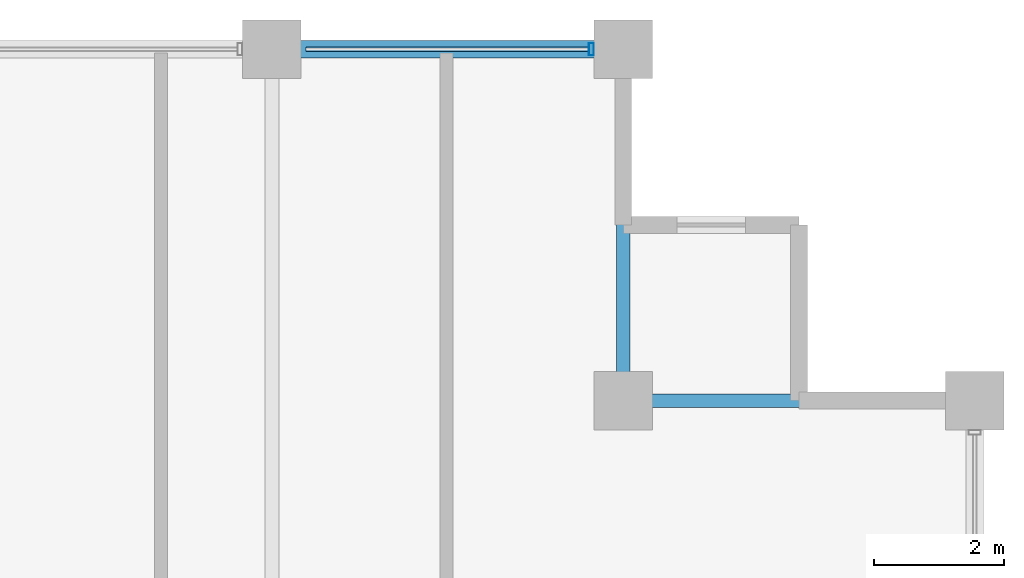
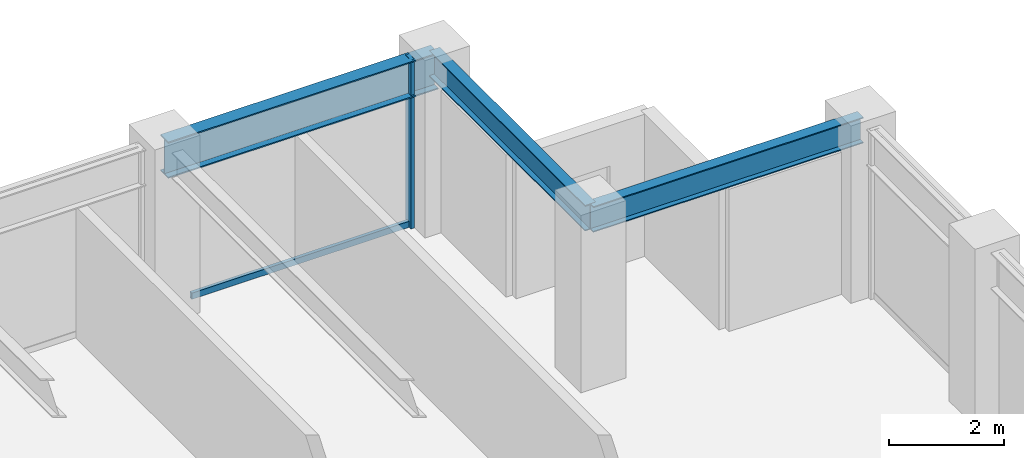
# One storey, part 24 of 32: 3 beams, 2 members, 1 element without a shape of its own.
"""IFC4 building model written with IfcOpenShell, lengths in metres."""

from ifc_helpers import new_model, si_unit, direction, frame, origin, origin_2d, place, context, subcontext, project, spatial, hollow_rectangle, i_section, extrude, material, layer, layer_set, material_profile, profile_set, type_object, element, aggregate, save


model = new_model("IFC4")

# Units and contexts
model_context = context("Model", 3, precision=1e-05, world=origin(), true_north=direction((0.0, 1.0)))
body_context = subcontext(model_context, "Body", "Model", "MODEL_VIEW")
ifc_project = project(units=[si_unit("LENGTHUNIT", "METRE"), si_unit("AREAUNIT", "SQUARE_METRE"), si_unit("VOLUMEUNIT", "CUBIC_METRE"), si_unit("PLANEANGLEUNIT", "RADIAN"), si_unit("MASSUNIT", "GRAM", prefix="KILO")], contexts=[model_context])

# Site, building, storey
site_placement = place(None, origin())
site = spatial("IfcSite", under=ifc_project, at=site_placement, CompositionType="ELEMENT")
building_placement = place(site_placement, origin())
building = spatial("IfcBuilding", under=site, at=building_placement, Name="Surkhivell Harbour Commons", CompositionType="ELEMENT")
storey_placement = place(building_placement, frame((0.0, 0.0, 208.5)))
storey = spatial("IfcBuildingStorey", under=building, at=storey_placement, Name="L54", CompositionType="ELEMENT", Elevation=208.5)

# Beams
ifc_material_1 = material(Name="Steel S355", Category="steel")
ifc_material_profile_1 = material_profile(ifc_material_1, i_section(OverallWidth=0.2119140625, OverallDepth=0.5439453125, WebThickness=0.0126953125, FlangeThickness=0.021240234375, at=origin_2d()), Name="UB533x210x122")
ifc_profile_set_1 = profile_set([ifc_material_profile_1], Name="Steel S355")
beam_type_1 = type_object("IfcBeamType", Name="BM-GRD-533A", PredefinedType="BEAM", material=ifc_profile_set_1)
beam_1_placement = place(storey_placement, frame((16.199951171875, 20.5, 3.298095703125), z_axis=(0.0, 1.0, 0.0), x_axis=(-1.0, 0.0, 0.0)))
element("IfcBeam", 1, at=beam_1_placement, inside=storey, type_object=beam_type_1, Name="L54 Floor Girder (16.2,20.5)", PredefinedType="BEAM", context=body_context, shape_type="SweptSolid", body=[
    extrude(i_section(OverallWidth=0.2119140625, OverallDepth=0.5439453125, WebThickness=0.0126953125, FlangeThickness=0.021240234375, at=origin_2d()), origin(), (0.0, 0.0, 1.0), 5.39990234375),
])
beam_2_placement = place(storey_placement, frame((16.199951171875, 20.5, 3.298095703125), z_axis=(1.0, 0.0, 0.0), x_axis=(0.0, 1.0, 0.0)))
element("IfcBeam", 2, at=beam_2_placement, inside=storey, type_object=beam_type_1, Name="L54 Floor Girder (16.2,20.5)", PredefinedType="BEAM", context=body_context, shape_type="SweptSolid", body=[
    extrude(i_section(OverallWidth=0.2119140625, OverallDepth=0.5439453125, WebThickness=0.0126953125, FlangeThickness=0.021240234375, at=origin_2d()), origin(), (0.0, 0.0, 1.0), 5.400146484375),
])
ifc_material_profile_2 = material_profile(ifc_material_1, i_section(OverallWidth=0.26806640625, OverallDepth=0.77001953125, WebThickness=0.015625, FlangeThickness=0.025390625, at=origin_2d()), Name="UB762x267x197")
ifc_profile_set_2 = profile_set([ifc_material_profile_2], Name="Steel S355")
beam_type_2 = type_object("IfcBeamType", Name="BM-SPN-762", PredefinedType="SPANDREL", material=ifc_profile_set_2)
beam_3_placement = place(storey_placement, frame((10.800048828125, 25.89990234375, 3.18505859375), z_axis=(1.0, 0.0, 0.0), x_axis=(0.0, 1.0, 0.0)))
element("IfcBeam", 3, at=beam_3_placement, inside=storey, type_object=beam_type_2, Name="L54 Tube Spandrel (10.8,25.9)", PredefinedType="SPANDREL", context=body_context, shape_type="SweptSolid", body=[
    extrude(i_section(OverallWidth=0.26806640625, OverallDepth=0.77001953125, WebThickness=0.015625, FlangeThickness=0.025390625, at=origin_2d()), origin(), (0.0, 0.0, 1.0), 5.39990234375),
])

# Curtain wall, members
ifc_material_2 = material(Name="Anodised pale-metal aluminium and insulated glazing", Category="aluminium")
ifc_layer = layer(ifc_material_2, 0.18994140625)
ifc_layer_set = layer_set([ifc_layer], Name="Anodised pale-metal aluminium and insulated glazing")
curtain_wall_type = type_object("IfcCurtainWallType", Name="CW-SYS-Z3", PredefinedType="NOTDEFINED", material=ifc_layer_set)
curtain_wall_placement = place(storey_placement, origin())
curtain_wall = element("IfcCurtainWall", 4, at=curtain_wall_placement, inside=storey, type_object=curtain_wall_type, Name="L54 Curtain Wall CW-L54-E07S1", PredefinedType="NOTDEFINED")
ifc_material_3 = material(Name="Anodised pale-metal aluminium alloy 6063-T6", Category="aluminium")
ifc_material_profile_3 = material_profile(ifc_material_3, hollow_rectangle(XDim=0.074951171875, YDim=0.18994140625, WallThickness=0.00390625, at=origin_2d()), Name="ALU-MULL-75x190")
ifc_profile_set_3 = profile_set([ifc_material_profile_3], Name="Anodised pale-metal aluminium alloy 6063-T6")
member_type_1 = type_object("IfcMemberType", Name="CWM-190", PredefinedType="MULLION", material=ifc_profile_set_3)
member_1_placement = place(storey_placement, frame((15.71044921875, 25.89990234375, 0.0), z_axis=(0.0, 0.0, 1.0), x_axis=(-1.0, 0.0, 0.0)))
member_1 = element("IfcMember", 5, at=member_1_placement, type_object=member_type_1, Name="CW-Z3 mullion 1", PredefinedType="MULLION", context=body_context, shape_type="SweptSolid", body=[
    extrude(hollow_rectangle(XDim=0.074951171875, YDim=0.18994140625, WallThickness=0.00390625, at=origin_2d()), origin(), (0.0, 0.0, 1.0), 3.570068359375),
])
ifc_material_4 = material(Name="Champagne anodised aluminium alloy 6063-T6", Category="aluminium")
ifc_material_profile_4 = material_profile(ifc_material_4, hollow_rectangle(XDim=0.070068359375, YDim=0.1298828125, WallThickness=0.00341796875, at=origin_2d()), Name="ALU-TRAN-70x130")
ifc_profile_set_4 = profile_set([ifc_material_profile_4], Name="Champagne anodised aluminium alloy 6063-T6")
member_type_2 = type_object("IfcMemberType", Name="CWT-130", PredefinedType="USERDEFINED", material=ifc_profile_set_4)
member_2_placement = place(storey_placement, frame((15.673095703125, 25.89990234375, 0.06494140625), z_axis=(-1.0, 0.0, 0.0), x_axis=(0.0, -1.0, 0.0)))
member_2 = element("IfcMember", 6, at=member_2_placement, type_object=member_type_2, Name="CW-Z3 transom 1.1", ObjectType="TRANSOM", PredefinedType="USERDEFINED", context=body_context, shape_type="SweptSolid", body=[
    extrude(hollow_rectangle(XDim=0.070068359375, YDim=0.1298828125, WallThickness=0.00341796875, at=origin_2d()), origin(), (0.0, 0.0, 1.0), 4.34619140625),
])
aggregate(curtain_wall, [member_1, member_2])

save(model, "model.ifc")
